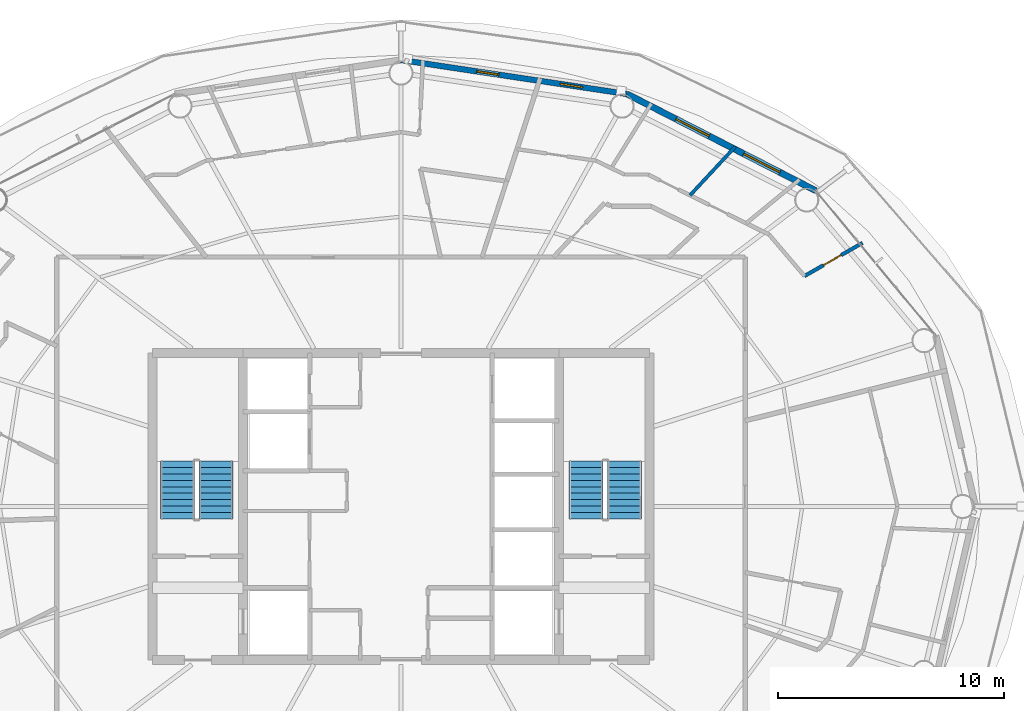
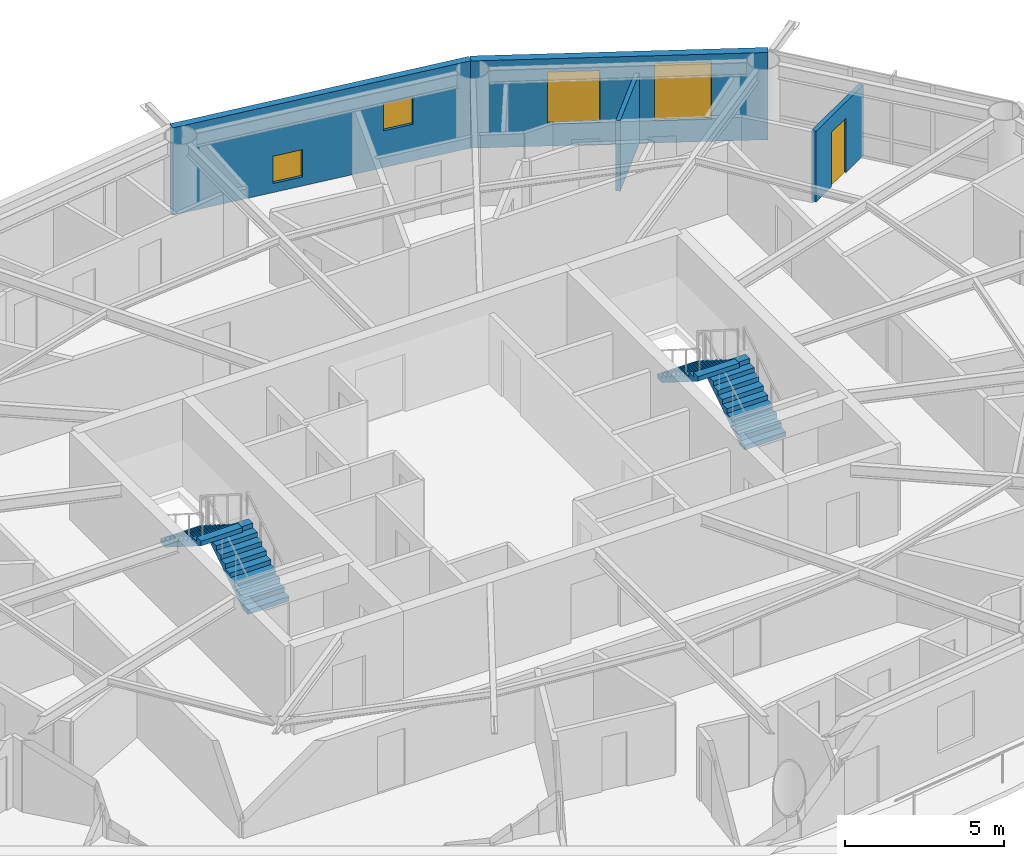
# One storey, part 20 of 23: 4 stair flights, 4 walls, 4 windows, 1 door, 5 openings, 2 elements without a shape of their own.
"""IFC4 building model written with IfcOpenShell, lengths in metres."""

from ifc_helpers import new_model, si_unit, direction, frame, frame_2d, origin, place, context, subcontext, project, spatial, polyline, rectangle, outline, extrude, material, layer, layer_set, type_object, element, fill, aggregate, save


model = new_model("IFC4")

# Units and contexts
model_context = context("Model", 3, precision=1e-05, world=origin(), true_north=direction((0.0, 1.0)))
body_context = subcontext(model_context, "Body", "Model", "MODEL_VIEW")
ifc_project = project(units=[si_unit("LENGTHUNIT", "METRE"), si_unit("AREAUNIT", "SQUARE_METRE"), si_unit("VOLUMEUNIT", "CUBIC_METRE"), si_unit("PLANEANGLEUNIT", "RADIAN"), si_unit("MASSUNIT", "GRAM", prefix="KILO")], contexts=[model_context])

# Site, building, storey
site_placement = place(None, origin())
site = spatial("IfcSite", under=ifc_project, at=site_placement, CompositionType="ELEMENT")
building_placement = place(site_placement, origin())
building = spatial("IfcBuilding", under=site, at=building_placement, Name="Sarneth Arch Tower", CompositionType="ELEMENT")
storey_placement = place(building_placement, frame((0.0, 0.0, 242.39990234375)))
storey = spatial("IfcBuildingStorey", under=building, at=storey_placement, Name="L62", CompositionType="ELEMENT", Elevation=242.39990234375)

# Wall, openings, windows
ifc_material_1 = material(Name="Extruded terracotta rainscreen on Concrete C40/50 backing", Category="masonry")
ifc_layer_1 = layer(ifc_material_1, 0.25)
ifc_layer_set_1 = layer_set([ifc_layer_1], Name="Extruded terracotta rainscreen on Concrete C40/50 backing")
wall_type_1 = type_object("IfcWallType", Name="WALL-EXT-SPAND-250", PredefinedType="SOLIDWALL", material=ifc_layer_set_1)
wall_1_placement = place(storey_placement, frame((58.0126953125, 60.2744140625, 0.0), z_axis=(0.0, 0.0, 1.0), x_axis=(-0.988882522213, 0.148698881169, 0.0)))
wall_1 = element("IfcWall", 1, at=wall_1_placement, inside=storey, type_object=wall_type_1, Name="L62 Terracotta perimeter wall 04", PredefinedType="SOLIDWALL", context=body_context, shape_type="SweptSolid", body=[
    extrude(rectangle(XDim=10.125244140625, YDim=0.25, at=frame_2d((5.0625, 0.0))), origin(), (0.0, 0.0, 1.0), 3.360107421875),
])
opening_1_placement = place(wall_1_placement, frame((1.990478515625, 0.0, 1.419921875)))
opening_1 = element("IfcOpeningElement", 2, at=opening_1_placement, cuts=wall_1, Name="Opening W-14", PredefinedType="OPENING", context=body_context, shape_type="SweptSolid", body=[
    extrude(rectangle(XDim=1.0, YDim=1.050048828125, at=frame_2d((0.5, 0.52490234375))), frame((0.0, 0.135009765625, 0.0), z_axis=(0.0, -1.0, 0.0), x_axis=(1.0, 0.0, 0.0)), (0.0, 0.0, 1.0), 0.27001953125),
])
opening_2_placement = place(wall_1_placement, frame((5.73779296875, 0.0, 0.35009765625)))
opening_2 = element("IfcOpeningElement", 3, at=opening_2_placement, cuts=wall_1, Name="Opening W-14", PredefinedType="OPENING", context=body_context, shape_type="SweptSolid", body=[
    extrude(rectangle(XDim=1.0, YDim=1.050048828125, at=frame_2d((0.5, 0.52490234375))), frame((0.0, 0.135009765625, 0.0), z_axis=(0.0, -1.0, 0.0), x_axis=(1.0, 0.0, 0.0)), (0.0, 0.0, 1.0), 0.27001953125),
])
ifc_material_2 = material(Name="Thermally broken Aluminium 6063-T6 and low-e laminated IGU", Category="aluminium")
window_type_1 = type_object("IfcWindowType", Name="WIN-TWR-1000x1050", PartitioningType="SINGLE_PANEL", PredefinedType="WINDOW", material=ifc_material_2)
window_1_placement = place(opening_1_placement, origin())
window_1 = element("IfcWindow", 4, at=window_1_placement, inside=storey, type_object=window_type_1, Name="L62 Dwelling bedroom window 01", OverallHeight=1.050048828125, OverallWidth=1.0, PartitioningType="SINGLE_PANEL", PredefinedType="WINDOW", context=body_context, shape_type="SweptSolid", body=[
    extrude(rectangle(XDim=1.0, YDim=1.050048828125, at=frame_2d((0.5, 0.52490234375))), frame((0.0, 0.030029296875, 0.0), z_axis=(0.0, -1.0, 0.0), x_axis=(1.0, 0.0, 0.0)), (0.0, 0.0, 1.0), 0.06005859375),
])
fill(opening_1, window_1)
window_2_placement = place(opening_2_placement, origin())
window_2 = element("IfcWindow", 5, at=window_2_placement, inside=storey, type_object=window_type_1, Name="L62 Dwelling bedroom window 02", OverallHeight=1.050048828125, OverallWidth=1.0, PartitioningType="SINGLE_PANEL", PredefinedType="WINDOW", context=body_context, shape_type="SweptSolid", body=[
    extrude(rectangle(XDim=1.0, YDim=1.050048828125, at=frame_2d((0.5, 0.52490234375))), frame((0.0, 0.030029296875, 0.0), z_axis=(0.0, -1.0, 0.0), x_axis=(1.0, 0.0, 0.0)), (0.0, 0.0, 1.0), 0.06005859375),
])
fill(opening_2, window_2)

ifc_material_3 = material(Name="Extruded terracotta rainscreen on Concrete C40/50 backing", Category="masonry")
ifc_layer_2 = layer(ifc_material_3, 0.280029296875)
ifc_layer_set_2 = layer_set([ifc_layer_2], Name="Extruded terracotta rainscreen on Concrete C40/50 backing")
wall_type_2 = type_object("IfcWallType", Name="WALL-EXT-TERRA-280", PredefinedType="SOLIDWALL", material=ifc_layer_set_2)
wall_2_placement = place(storey_placement, frame((66.382568359375, 55.986572265625, 0.0), z_axis=(0.0, 0.0, 1.0), x_axis=(-0.890007394051, 0.455946091699, 0.0)))
wall_2 = element("IfcWall", 6, at=wall_2_placement, inside=storey, type_object=wall_type_2, Name="L62 Terracotta perimeter wall 03", PredefinedType="SOLIDWALL", context=body_context, shape_type="SweptSolid", body=[
    extrude(rectangle(XDim=9.404296875, YDim=0.280029296875, at=frame_2d((4.7021484375, 0.0))), origin(), (0.0, 0.0, 1.0), 3.360107421875),
])
opening_3_placement = place(wall_2_placement, frame((1.7978515625, 0.0, 0.85009765625)))
opening_3 = element("IfcOpeningElement", 7, at=opening_3_placement, cuts=wall_2, Name="Opening W-04", PredefinedType="OPENING", context=body_context, shape_type="SweptSolid", body=[
    extrude(rectangle(XDim=1.800048828125, YDim=2.199951171875, at=frame_2d((0.89990234375, 1.10009765625))), frame((0.0, 0.14990234375, 0.0), z_axis=(0.0, -1.0, 0.0), x_axis=(1.0, 0.0, 0.0)), (0.0, 0.0, 1.0), 0.300048828125),
])
opening_4_placement = place(wall_2_placement, frame((5.313720703125, 0.0, 0.85009765625)))
opening_4 = element("IfcOpeningElement", 8, at=opening_4_placement, cuts=wall_2, Name="Opening W-05", PredefinedType="OPENING", context=body_context, shape_type="SweptSolid", body=[
    extrude(rectangle(XDim=1.64990234375, YDim=2.0, at=frame_2d((0.824951171875, 1.0))), frame((0.0, 0.14990234375, 0.0), z_axis=(0.0, -1.0, 0.0), x_axis=(1.0, 0.0, 0.0)), (0.0, 0.0, 1.0), 0.300048828125),
])
ifc_material_4 = material(Name="Thermally broken Aluminium 6063-T6 and low-e laminated IGU", Category="aluminium")
window_type_2 = type_object("IfcWindowType", Name="WIN-TWR-1650x2000", PartitioningType="DOUBLE_PANEL_VERTICAL", PredefinedType="WINDOW", material=ifc_material_4)
window_3_placement = place(opening_4_placement, origin())
window_3 = element("IfcWindow", 9, at=window_3_placement, inside=storey, type_object=window_type_2, Name="L62 Exterior window 03B", OverallHeight=2.0, OverallWidth=1.64990234375, PartitioningType="SINGLE_PANEL", PredefinedType="WINDOW", context=body_context, shape_type="SweptSolid", body=[
    extrude(rectangle(XDim=1.64990234375, YDim=2.0, at=frame_2d((0.824951171875, 1.0))), frame((0.0, 0.030029296875, 0.0), z_axis=(0.0, -1.0, 0.0), x_axis=(1.0, 0.0, 0.0)), (0.0, 0.0, 1.0), 0.06005859375),
])
fill(opening_4, window_3)
ifc_material_5 = material(Name="Thermally broken Aluminium 6063-T6 and low-e laminated IGU", Category="aluminium")
window_type_3 = type_object("IfcWindowType", Name="WIN-TWR-1800x2200", PartitioningType="DOUBLE_PANEL_VERTICAL", PredefinedType="WINDOW", material=ifc_material_5)
window_4_placement = place(opening_3_placement, origin())
window_4 = element("IfcWindow", 10, at=window_4_placement, inside=storey, type_object=window_type_3, Name="L62 Exterior window 03A", OverallHeight=2.199951171875, OverallWidth=1.800048828125, PartitioningType="SINGLE_PANEL", PredefinedType="WINDOW", context=body_context, shape_type="SweptSolid", body=[
    extrude(rectangle(XDim=1.800048828125, YDim=2.199951171875, at=frame_2d((0.89990234375, 1.10009765625))), frame((0.0, 0.030029296875, 0.0), z_axis=(0.0, -1.0, 0.0), x_axis=(1.0, 0.0, 0.0)), (0.0, 0.0, 1.0), 0.06005859375),
])
fill(opening_3, window_4)

# Wall
ifc_material_6 = material(Name="Acoustic gypsum stud partition", Category="gypsum")
ifc_layer_3 = layer(ifc_material_6, 0.14990234375)
ifc_layer_set_3 = layer_set([ifc_layer_3], Name="Acoustic gypsum stud partition")
wall_type_3 = type_object("IfcWallType", Name="WALL-PART-150", PredefinedType="PARTITIONING", material=ifc_layer_set_3)
wall_3_placement = place(storey_placement, frame((62.8125, 57.9453125, 0.0), z_axis=(0.0, 0.0, 1.0), x_axis=(-0.680590804007, -0.732663741085, 0.0)))
element("IfcWall", 11, at=wall_3_placement, inside=storey, type_object=wall_type_3, Name="L62 Interior partition W-L62-TP-039", PredefinedType="PARTITIONING", context=body_context, shape_type="SweptSolid", body=[
    extrude(rectangle(XDim=2.948974609375, YDim=0.14990234375, at=frame_2d((1.474609375, 0.0))), origin(), (0.0, 0.0, 1.0), 2.72021484375),
])

# Wall, opening, door
ifc_material_7 = material(Name="Kitchen wet service chase wall", Category="gypsum")
ifc_layer_4 = layer(ifc_material_7, 0.159912109375)
ifc_layer_set_4 = layer_set([ifc_layer_4], Name="Kitchen wet service chase wall")
wall_type_4 = type_object("IfcWallType", Name="WALL-PLUMB-160", PredefinedType="PLUMBINGWALL", material=ifc_layer_set_4)
wall_4_placement = place(storey_placement, frame((65.87451171875, 52.208984375, 0.0), z_axis=(0.0, 0.0, 1.0), x_axis=(0.868349640853, 0.495952519128, 0.0)))
wall_4 = element("IfcWall", 12, at=wall_4_placement, inside=storey, type_object=wall_type_4, Name="L62 Interior partition W-L62-TP-022", PredefinedType="PLUMBINGWALL", context=body_context, shape_type="SweptSolid", body=[
    extrude(rectangle(XDim=2.9619140625, YDim=0.159912109375, at=frame_2d((1.48095703125, 0.0))), origin(), (0.0, 0.0, 1.0), 2.72021484375),
])
opening_5_placement = place(wall_4_placement, frame((0.970947265625, 0.0, 0.0)))
opening_5 = element("IfcOpeningElement", 13, at=opening_5_placement, cuts=wall_4, Name="Opening ID-01", PredefinedType="OPENING", context=body_context, shape_type="SweptSolid", body=[
    extrude(rectangle(XDim=0.89990234375, YDim=2.10009765625, at=frame_2d((0.449951171875, 1.050048828125))), frame((0.0, 0.08984375, 0.0), z_axis=(0.0, -1.0, 0.0), x_axis=(1.0, 0.0, 0.0)), (0.0, 0.0, 1.0), 0.179931640625),
])
ifc_material_8 = material(Name="Engineered hardwood flush door", Category="wood")
door_type = type_object("IfcDoorType", Name="DR-INT-900", OperationType="SINGLE_SWING_LEFT", PredefinedType="DOOR", material=ifc_material_8)
door_placement = place(opening_5_placement, origin())
door = element("IfcDoor", 14, at=door_placement, inside=storey, type_object=door_type, Name="L62 Interior door DR-L62-U1-KIT", OperationType="SINGLE_SWING_RIGHT", OverallHeight=2.10009765625, OverallWidth=0.89990234375, PredefinedType="DOOR", context=body_context, shape_type="SweptSolid", body=[
    extrude(rectangle(XDim=0.89990234375, YDim=2.10009765625, at=frame_2d((0.449951171875, 1.050048828125))), frame((0.0, 0.02490234375, 0.0), z_axis=(0.0, -1.0, 0.0), x_axis=(1.0, 0.0, 0.0)), (0.0, 0.0, 1.0), 0.050048828125),
])
fill(opening_5, door)

# Stair, stair flights
ifc_material_9 = material(Name="Concrete C50/60", Category="concrete")
stair_type = type_object("IfcStairType", Name="STAIR-CORE-RC", PredefinedType="HALF_TURN_STAIR", material=ifc_material_9)
stair_1_placement = place(storey_placement, origin())
stair_1 = element("IfcStair", 15, at=stair_1_placement, inside=storey, type_object=stair_type, Name="L62 Core Exit Stair 1", PredefinedType="HALF_TURN_STAIR")
ifc_material_10 = material(Name="Concrete C50/60", Category="concrete")
stair_flight_type = type_object("IfcStairFlightType", Name="FLIGHT-RC-1500", PredefinedType="STRAIGHT", material=ifc_material_10)
stair_flight_1_placement = place(storey_placement, frame((39.800048828125, 41.449951171875, 0.0), z_axis=(0.0, 0.0, 1.0), x_axis=(0.0, 1.0, 0.0)))
stair_flight_1 = element("IfcStairFlight", 16, at=stair_flight_1_placement, type_object=stair_flight_type, Name="ST-1 flight 1", NumberOfRisers=10, NumberOfTreads=9, PredefinedType="STRAIGHT", RiserHeight=0.18, TreadLength=0.285, context=body_context, shape_type="SweptSolid", body=[
    extrude(outline(polyline([(0.0, 0.0), (0.0, 0.179931640625), (0.284912109375, 0.179931640625), (0.284912109375, 0.360107421875), (0.570068359375, 0.360107421875), (0.570068359375, 0.5400390625), (0.85498046875, 0.5400390625), (0.85498046875, 0.719970703125), (1.139892578125, 0.719970703125), (1.139892578125, 0.89990234375), (1.425048828125, 0.89990234375), (1.425048828125, 1.080078125), (1.7099609375, 1.080078125), (1.7099609375, 1.260009765625), (1.9951171875, 1.260009765625), (1.9951171875, 1.43994140625), (2.280029296875, 1.43994140625), (2.280029296875, 1.6201171875), (2.56494140625, 1.6201171875), (2.56494140625, 1.800048828125), (2.56494140625, 1.442626953125), (0.28076171875, 0.0), (0.0, 0.0)])), frame((0.0, 0.75, 0.0), z_axis=(0.0, -1.0, 0.0), x_axis=(1.0, 0.0, 0.0)), (0.0, 0.0, 1.0), 1.5),
])
stair_flight_2_placement = place(storey_placement, frame((38.10009765625, 44.014892578125, 1.800048828125), z_axis=(0.0, 0.0, 1.0), x_axis=(0.0, -1.0, 0.0)))
stair_flight_2 = element("IfcStairFlight", 17, at=stair_flight_2_placement, type_object=stair_flight_type, Name="ST-1 flight 2", NumberOfRisers=10, NumberOfTreads=9, PredefinedType="STRAIGHT", RiserHeight=0.18, TreadLength=0.285, context=body_context, shape_type="SweptSolid", body=[
    extrude(outline(polyline([(0.0, 0.0), (0.0, 0.179931640625), (0.284912109375, 0.179931640625), (0.284912109375, 0.360107421875), (0.570068359375, 0.360107421875), (0.570068359375, 0.5400390625), (0.85498046875, 0.5400390625), (0.85498046875, 0.719970703125), (1.139892578125, 0.719970703125), (1.139892578125, 0.89990234375), (1.425048828125, 0.89990234375), (1.425048828125, 1.080078125), (1.7099609375, 1.080078125), (1.7099609375, 1.260009765625), (1.9951171875, 1.260009765625), (1.9951171875, 1.43994140625), (2.280029296875, 1.43994140625), (2.280029296875, 1.6201171875), (2.56494140625, 1.6201171875), (2.56494140625, 1.800048828125), (2.56494140625, 1.442626953125), (0.28076171875, 0.0), (0.0, 0.0)])), frame((0.0, 0.75, 0.0), z_axis=(0.0, -1.0, 0.0), x_axis=(1.0, 0.0, 0.0)), (0.0, 0.0, 1.0), 1.5),
])
aggregate(stair_1, [stair_flight_1, stair_flight_2])

stair_2_placement = place(storey_placement, origin())
stair_2 = element("IfcStair", 18, at=stair_2_placement, inside=storey, type_object=stair_type, Name="L62 Core Exit Stair 2", PredefinedType="HALF_TURN_STAIR")
stair_flight_3_placement = place(storey_placement, frame((57.89990234375, 41.449951171875, 0.0), z_axis=(0.0, 0.0, 1.0), x_axis=(0.0, 1.0, 0.0)))
stair_flight_3 = element("IfcStairFlight", 19, at=stair_flight_3_placement, type_object=stair_flight_type, Name="ST-2 flight 1", NumberOfRisers=10, NumberOfTreads=9, PredefinedType="STRAIGHT", RiserHeight=0.18, TreadLength=0.285, context=body_context, shape_type="SweptSolid", body=[
    extrude(outline(polyline([(0.0, 0.0), (0.0, 0.179931640625), (0.284912109375, 0.179931640625), (0.284912109375, 0.360107421875), (0.570068359375, 0.360107421875), (0.570068359375, 0.5400390625), (0.85498046875, 0.5400390625), (0.85498046875, 0.719970703125), (1.139892578125, 0.719970703125), (1.139892578125, 0.89990234375), (1.425048828125, 0.89990234375), (1.425048828125, 1.080078125), (1.7099609375, 1.080078125), (1.7099609375, 1.260009765625), (1.9951171875, 1.260009765625), (1.9951171875, 1.43994140625), (2.280029296875, 1.43994140625), (2.280029296875, 1.6201171875), (2.56494140625, 1.6201171875), (2.56494140625, 1.800048828125), (2.56494140625, 1.442626953125), (0.28076171875, 0.0), (0.0, 0.0)])), frame((0.0, 0.75, 0.0), z_axis=(0.0, -1.0, 0.0), x_axis=(1.0, 0.0, 0.0)), (0.0, 0.0, 1.0), 1.5),
])
stair_flight_4_placement = place(storey_placement, frame((56.199951171875, 44.014892578125, 1.800048828125), z_axis=(0.0, 0.0, 1.0), x_axis=(0.0, -1.0, 0.0)))
stair_flight_4 = element("IfcStairFlight", 20, at=stair_flight_4_placement, type_object=stair_flight_type, Name="ST-2 flight 2", NumberOfRisers=10, NumberOfTreads=9, PredefinedType="STRAIGHT", RiserHeight=0.18, TreadLength=0.285, context=body_context, shape_type="SweptSolid", body=[
    extrude(outline(polyline([(0.0, 0.0), (0.0, 0.179931640625), (0.284912109375, 0.179931640625), (0.284912109375, 0.360107421875), (0.570068359375, 0.360107421875), (0.570068359375, 0.5400390625), (0.85498046875, 0.5400390625), (0.85498046875, 0.719970703125), (1.139892578125, 0.719970703125), (1.139892578125, 0.89990234375), (1.425048828125, 0.89990234375), (1.425048828125, 1.080078125), (1.7099609375, 1.080078125), (1.7099609375, 1.260009765625), (1.9951171875, 1.260009765625), (1.9951171875, 1.43994140625), (2.280029296875, 1.43994140625), (2.280029296875, 1.6201171875), (2.56494140625, 1.6201171875), (2.56494140625, 1.800048828125), (2.56494140625, 1.442626953125), (0.28076171875, 0.0), (0.0, 0.0)])), frame((0.0, 0.75, 0.0), z_axis=(0.0, -1.0, 0.0), x_axis=(1.0, 0.0, 0.0)), (0.0, 0.0, 1.0), 1.5),
])
aggregate(stair_2, [stair_flight_3, stair_flight_4])

save(model, "model.ifc")
